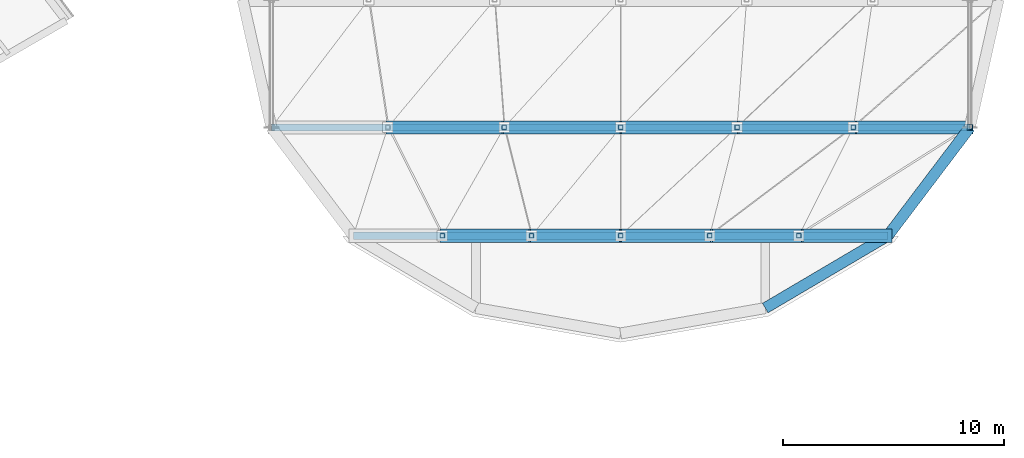
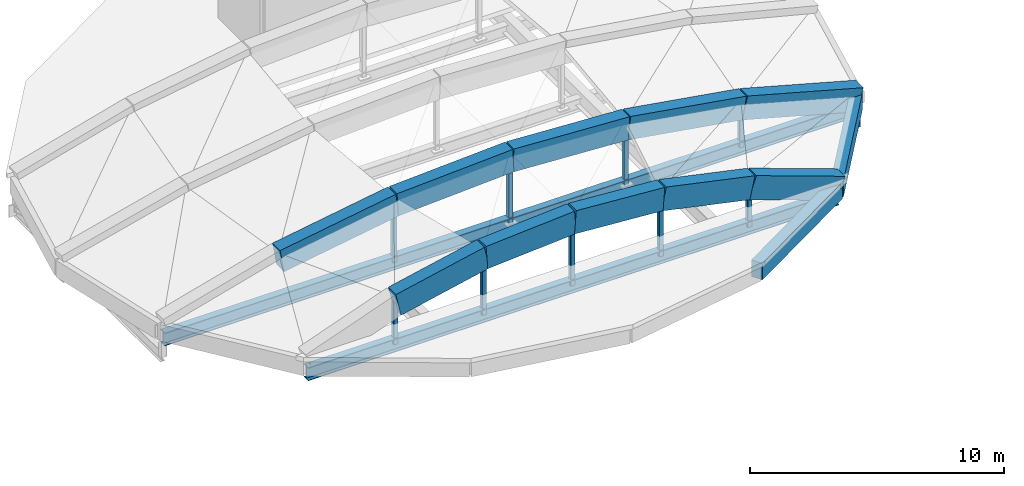
# One storey, part 60 of 88: 14 beams, 10 members.
"""IFC4 building model written with IfcOpenShell, lengths in metres."""

import ifcopenshell
import ifcopenshell.guid

model = None  # the IFC model being written
_history = None  # IfcOwnerHistory: only IFC2X3 demands one
_inside = {}  # id of a spatial element -> (the spatial element, [elements in it])
_under = {}  # id of a project, library or spatial element -> (it, [spatial elements below it])
_declared = {}  # id of a project -> (the project, [libraries it declares])
_typed = {}  # id of a type object -> (the type object, [elements of that type])
_made_of = {}  # id of a material, layer set ... -> (it, [elements and type objects made of it])


def new_model(schema):
    """Start an empty IFC model of exactly this schema.

    Asked for "IFC4X3", IfcOpenShell would pick the latest addendum, in which some entities
    have other attributes; the version numbers below select the first issue.
    IFC2X3 requires an IfcOwnerHistory on every rooted entity: one is made here for all.
    """
    global model, _history
    if schema == "IFC4X3":
        model = ifcopenshell.file(schema_version=(4, 3, 0, 0))
    else:
        model = ifcopenshell.file(schema=schema)
    _inside.clear()
    _under.clear()
    _declared.clear()
    _typed.clear()
    _made_of.clear()
    _history = None
    if model.schema == "IFC2X3":
        org = make("IfcOrganization", Name="unknown")
        user = make(
            "IfcPersonAndOrganization",
            ThePerson=make("IfcPerson", FamilyName="unknown"),
            TheOrganization=org,
        )
        app = make(
            "IfcApplication",
            ApplicationDeveloper=org,
            Version="unknown",
            ApplicationFullName="unknown",
            ApplicationIdentifier="unknown",
        )
        _history = make(
            "IfcOwnerHistory",
            OwningUser=user,
            OwningApplication=app,
            ChangeAction="ADDED",
            CreationDate=0,
        )
    return model


def make(cls, **values):
    """One entity of the class cls with the attributes given. An attribute that is None is left unset."""
    return model.create_entity(
        cls, **{name: value for name, value in values.items() if value is not None}
    )


def rooted(cls, **values):
    """An entity with a GlobalId (a new one), such as an element, a storey or a relation."""
    return make(cls, GlobalId=ifcopenshell.guid.new(), OwnerHistory=_history, **values)


def si_unit(unit_type, name, prefix=None):
    """IfcSIUnit, for example si_unit("LENGTHUNIT", "METRE", prefix="MILLI")."""
    return make("IfcSIUnit", UnitType=unit_type, Prefix=prefix, Name=name)


def assignment(units):
    """IfcUnitAssignment: the units of a project."""
    return None if units is None else make("IfcUnitAssignment", Units=units)


def point(xyz):
    """IfcCartesianPoint."""
    return None if xyz is None else make("IfcCartesianPoint", Coordinates=xyz)


def direction(xyz):
    """IfcDirection."""
    return None if xyz is None else make("IfcDirection", DirectionRatios=xyz)


def frame(location, z_axis=None, x_axis=None):
    """IfcAxis2Placement3D, a coordinate frame: its origin and axes. An axis left out is left unset."""
    return make(
        "IfcAxis2Placement3D",
        Location=point(location),
        Axis=direction(z_axis),
        RefDirection=direction(x_axis),
    )


def frame_2d(location, x_axis=None):
    """IfcAxis2Placement2D, a coordinate frame in the plane: its origin and x axis."""
    return make(
        "IfcAxis2Placement2D", Location=point(location), RefDirection=direction(x_axis)
    )


def origin():
    """The frame at (0, 0, 0) with its axes left unset."""
    return frame((0.0, 0.0, 0.0))


def origin_2d():
    """The frame at (0, 0) in the plane with its x axis left unset."""
    return frame_2d((0.0, 0.0))


def place(relative_to, where):
    """IfcLocalPlacement: puts the frame where relative to a parent placement (None: the world)."""
    return make(
        "IfcLocalPlacement", PlacementRelTo=relative_to, RelativePlacement=where
    )


def context(
    kind, dimensions, precision=None, world=None, true_north=None, identifier=None
):
    """IfcGeometricRepresentationContext, for example the 3D "Model" context."""
    return make(
        "IfcGeometricRepresentationContext",
        ContextIdentifier=identifier,
        ContextType=kind,
        CoordinateSpaceDimension=dimensions,
        Precision=precision,
        WorldCoordinateSystem=world,
        TrueNorth=true_north,
    )


def subcontext(parent, identifier, kind, view, scale=None):
    """IfcGeometricRepresentationSubContext, for example "Body" below "Model"."""
    return make(
        "IfcGeometricRepresentationSubContext",
        ContextIdentifier=identifier,
        ContextType=kind,
        ParentContext=parent,
        TargetScale=scale,
        TargetView=view,
    )


def project(units=None, contexts=None):
    """IfcProject with its units and contexts."""
    return rooted(
        "IfcProject",
        Name="project",
        RepresentationContexts=contexts,
        UnitsInContext=assignment(units),
    )


def spatial(cls, under=None, at=None, **own):
    """A site, building, storey or space (cls), placed at a placement, below another one or the project."""
    s = rooted(cls, ObjectPlacement=at, **own)
    if under is not None:
        _under.setdefault(under.id(), (under, []))[1].append(s)
    return s


def profile(cls, at=None, kind="AREA", **sizes):
    """A parametric profile (cls). Its sizes go by their IFC names, for example OverallWidth=200.0."""
    return make(cls, ProfileType=kind, Position=at, **sizes)


def rectangle(**sizes):
    """IfcRectangleProfileDef."""
    return profile("IfcRectangleProfileDef", **sizes)


def hollow_rectangle(**sizes):
    """IfcRectangleHollowProfileDef."""
    return profile("IfcRectangleHollowProfileDef", **sizes)


def i_section(**sizes):
    """IfcIShapeProfileDef."""
    return profile("IfcIShapeProfileDef", **sizes)


def extrude(swept, where, along, depth):
    """IfcExtrudedAreaSolid: the profile swept, set in the frame where, extruded along a direction by depth."""
    return make(
        "IfcExtrudedAreaSolid",
        SweptArea=swept,
        Position=where,
        ExtrudedDirection=direction(along),
        Depth=depth,
    )


def shape(context_of_items, identifier, shape_type, items):
    """IfcShapeRepresentation: the items that make up one representation, for example the "Body"."""
    return make(
        "IfcShapeRepresentation",
        ContextOfItems=context_of_items,
        RepresentationIdentifier=identifier,
        RepresentationType=shape_type,
        Items=items,
    )


def material(Name=None, Category=None):
    """IfcMaterial."""
    return make("IfcMaterial", Name=Name, Category=Category)


def material_profile(
    of_material, cross_section, Name=None, Category=None, Priority=None
):
    """IfcMaterialProfile: a cross section and its material."""
    return make(
        "IfcMaterialProfile",
        Name=Name,
        Material=of_material,
        Profile=cross_section,
        Priority=Priority,
        Category=Category,
    )


def profile_set(profiles, Name=None, composite=None):
    """IfcMaterialProfileSet."""
    return make(
        "IfcMaterialProfileSet",
        Name=Name,
        MaterialProfiles=profiles,
        CompositeProfile=composite,
    )


def made_of(thing, what):
    """Note that an element or type object is made of a material, layer set ...; save() writes the relation."""
    if what is not None:
        _made_of.setdefault(what.id(), (what, []))[1].append(thing)
    return thing


def type_object(cls, material=None, **own):
    """A type object (cls), such as IfcWallType, which elements share."""
    return made_of(rooted(cls, **own), material)


def element(
    cls,
    number,
    at=None,
    inside=None,
    cuts=None,
    type_object=None,
    material=None,
    context=None,
    identifier="Body",
    shape_type=None,
    held_by="IfcProductDefinitionShape",
    body=None,
    shapes=None,
    **own,
):
    """One element of the class cls, such as IfcWall. Its Tag is "e" and its number.

    at: its placement. inside: the storey or other place that contains it. cuts: it is an
    opening in that element (IfcRelVoidsElement). A single representation is given by context,
    identifier, shape_type and body (its items); several are given by shapes. held_by: the class
    of the entity that holds the representations. save() writes the other relations.
    """
    e = rooted(cls, Tag="e%d" % number, ObjectPlacement=at, **own)
    if body is not None:
        shapes = [shape(context, identifier, shape_type, body)]
    if shapes is not None:
        e.Representation = make(held_by, Representations=shapes)
    if inside is not None:
        _inside.setdefault(inside.id(), (inside, []))[1].append(e)
    if cuts is not None:
        rooted(
            "IfcRelVoidsElement", RelatingBuildingElement=cuts, RelatedOpeningElement=e
        )
    if type_object is not None:
        _typed.setdefault(type_object.id(), (type_object, []))[1].append(e)
    return made_of(e, material)


def aggregate(whole, parts):
    """IfcRelAggregates: a whole, such as a stair, and the parts it consists of."""
    return rooted("IfcRelAggregates", RelatingObject=whole, RelatedObjects=parts)


def save(model, path):
    """Write the relations noted so far, then the file.

    IfcRelAggregates (storeys below a building ...), IfcRelContainedInSpatialStructure (elements
    in a storey), IfcRelDefinesByType, IfcRelAssociatesMaterial and IfcRelDeclares: one each for
    every whole, place, type object, material and project.
    """
    for whole, parts in _under.values():
        aggregate(whole, parts)
    for where, things in _inside.values():
        rooted(
            "IfcRelContainedInSpatialStructure",
            RelatedElements=things,
            RelatingStructure=where,
        )
    for kind, things in _typed.values():
        rooted("IfcRelDefinesByType", RelatedObjects=things, RelatingType=kind)
    for what, things in _made_of.values():
        rooted("IfcRelAssociatesMaterial", RelatedObjects=things, RelatingMaterial=what)
    for by, libraries in _declared.values():
        rooted("IfcRelDeclares", RelatingContext=by, RelatedDefinitions=libraries)
    model.write(path)


model = new_model("IFC4")

# Units and contexts
model_context = context("Model", 3, precision=1e-05, world=origin(), true_north=direction((0.0, 1.0)))
body_context = subcontext(model_context, "Body", "Model", "MODEL_VIEW")
ifc_project = project(units=[si_unit("LENGTHUNIT", "METRE"), si_unit("AREAUNIT", "SQUARE_METRE"), si_unit("VOLUMEUNIT", "CUBIC_METRE"), si_unit("PLANEANGLEUNIT", "RADIAN"), si_unit("MASSUNIT", "GRAM", prefix="KILO")], contexts=[model_context])

# Site, building, storey
site_placement = place(None, origin())
site = spatial("IfcSite", under=ifc_project, at=site_placement, CompositionType="ELEMENT")
building_placement = place(site_placement, origin())
building = spatial("IfcBuilding", under=site, at=building_placement, Name="Vespera Passage Community Centre", CompositionType="ELEMENT")
storey_placement = place(building_placement, frame((0.0, 0.0, 16.5)))
storey = spatial("IfcBuildingStorey", under=building, at=storey_placement, Name="L04", CompositionType="ELEMENT", Elevation=16.5)

# Beams
ifc_material_1 = material(Name="Concrete f'c 45 MPa", Category="concrete")
ifc_material_profile_1 = material_profile(ifc_material_1, rectangle(XDim=0.60009765625, YDim=1.10009765625, at=origin_2d()), Name="RC600X1100")
ifc_profile_set_1 = profile_set([ifc_material_profile_1], Name="Concrete f'c 45 MPa")
beam_type_1 = type_object("IfcBeamType", Name="BM-AR-600X1100", PredefinedType="USERDEFINED", material=ifc_profile_set_1)
beam_1_placement = place(storey_placement, frame((134.93896484375, 78.82275390625, 1.0244140625), z_axis=(0.977652237703, 0.0, 0.210228690038), x_axis=(0.0, 1.0, 0.0)))
element("IfcBeam", 1, at=beam_1_placement, inside=storey, type_object=beam_type_1, Name="Sports Hall Arched Rib 1.2", ObjectType="ARCH RIB", PredefinedType="USERDEFINED", context=body_context, shape_type="SweptSolid", body=[
    extrude(rectangle(XDim=0.60009765625, YDim=1.10009765625, at=origin_2d()), origin(), (0.0, 0.0, 1.0), 4.12255859375),
])
for number, where, z_axis, x_axis, name in (
    (2, (138.969482421875, 78.82275390625, 1.89111328125), (0.997442419256, 0.0, 0.071474612755), (0.0, 1.0, 0.0), "Sports Hall Arched Rib 1.3"),
    (3, (143.0, 78.82275390625, 2.179931640625), (0.997442419256, 0.0, -0.071474612755), (0.0, 1.0, 0.0), "Sports Hall Arched Rib 1.4"),
):
    element("IfcBeam", number, at=place(storey_placement, frame(where, z_axis=z_axis, x_axis=x_axis)), inside=storey, type_object=beam_type_1, Name=name, ObjectType="ARCH RIB", PredefinedType="USERDEFINED", context=body_context, shape_type="SweptSolid", body=[
        extrude(rectangle(XDim=0.60009765625, YDim=1.10009765625, at=origin_2d()), origin(), (0.0, 0.0, 1.0), 4.040771484375),
    ])
beam_2_placement = place(storey_placement, frame((147.030517578125, 78.82275390625, 1.89111328125), z_axis=(0.977652237703, 0.0, -0.210228690038), x_axis=(0.0, 1.0, 0.0)))
element("IfcBeam", 4, at=beam_2_placement, inside=storey, type_object=beam_type_1, Name="Sports Hall Arched Rib 1.5", ObjectType="ARCH RIB", PredefinedType="USERDEFINED", context=body_context, shape_type="SweptSolid", body=[
    extrude(rectangle(XDim=0.60009765625, YDim=1.10009765625, at=origin_2d()), origin(), (0.0, 0.0, 1.0), 4.12255859375),
])
beam_3_placement = place(storey_placement, frame((151.06103515625, 78.82275390625, 1.0244140625), z_axis=(0.941381435072, 0.0, -0.337344028705), x_axis=(0.0, 1.0, 0.0)))
element("IfcBeam", 5, at=beam_3_placement, inside=storey, type_object=beam_type_1, Name="Sports Hall Arched Rib 1.6", ObjectType="ARCH RIB", PredefinedType="USERDEFINED", context=body_context, shape_type="SweptSolid", body=[
    extrude(rectangle(XDim=0.60009765625, YDim=1.10009765625, at=origin_2d()), origin(), (0.0, 0.0, 1.0), 4.281494140625),
])
beam_4_placement = place(storey_placement, frame((132.4677734375, 83.721435546875, 1.0244140625), z_axis=(0.986725707269, 0.0, 0.162395746908), x_axis=(0.0, 1.0, 0.0)))
element("IfcBeam", 6, at=beam_4_placement, inside=storey, type_object=beam_type_1, Name="Sports Hall Arched Rib 2.2", ObjectType="ARCH RIB", PredefinedType="USERDEFINED", context=body_context, shape_type="SweptSolid", body=[
    extrude(rectangle(XDim=0.60009765625, YDim=1.10009765625, at=origin_2d()), origin(), (0.0, 0.0, 1.0), 5.3369140625),
])
for number, where, z_axis, x_axis, name in (
    (7, (137.73388671875, 83.721435546875, 1.89111328125), (0.998499414303, 0.0, 0.054762392542), (0.0, 1.0, 0.0), "Sports Hall Arched Rib 2.3"),
    (8, (143.0, 83.721435546875, 2.179931640625), (0.998499414303, 0.0, -0.054762392542), (0.0, 1.0, 0.0), "Sports Hall Arched Rib 2.4"),
):
    element("IfcBeam", number, at=place(storey_placement, frame(where, z_axis=z_axis, x_axis=x_axis)), inside=storey, type_object=beam_type_1, Name=name, ObjectType="ARCH RIB", PredefinedType="USERDEFINED", context=body_context, shape_type="SweptSolid", body=[
        extrude(rectangle(XDim=0.60009765625, YDim=1.10009765625, at=origin_2d()), origin(), (0.0, 0.0, 1.0), 5.27392578125),
    ])
beam_5_placement = place(storey_placement, frame((148.26611328125, 83.721435546875, 1.89111328125), z_axis=(0.986725707269, 0.0, -0.162395746908), x_axis=(0.0, 1.0, 0.0)))
element("IfcBeam", 9, at=beam_5_placement, inside=storey, type_object=beam_type_1, Name="Sports Hall Arched Rib 2.5", ObjectType="ARCH RIB", PredefinedType="USERDEFINED", context=body_context, shape_type="SweptSolid", body=[
    extrude(rectangle(XDim=0.60009765625, YDim=1.10009765625, at=origin_2d()), origin(), (0.0, 0.0, 1.0), 5.3369140625),
])
beam_6_placement = place(storey_placement, frame((153.5322265625, 83.721435546875, 1.0244140625), z_axis=(0.964385203819, 0.0, -0.264501755484), x_axis=(0.0, 1.0, 0.0)))
element("IfcBeam", 10, at=beam_6_placement, inside=storey, type_object=beam_type_1, Name="Sports Hall Arched Rib 2.6", ObjectType="ARCH RIB", PredefinedType="USERDEFINED", context=body_context, shape_type="SweptSolid", body=[
    extrude(rectangle(XDim=0.60009765625, YDim=1.10009765625, at=origin_2d()), origin(), (0.0, 0.0, 1.0), 5.460693359375),
])
ifc_material_2 = material(Name="Steel ASTM A992 Grade 50", Category="steel")
ifc_material_profile_2 = material_profile(ifc_material_2, i_section(OverallWidth=0.32763671875, OverallDepth=0.62841796875, WebThickness=0.0166015625, FlangeThickness=0.027587890625, FilletRadius=0.0126953125, at=origin_2d()), Name="W24X146")
ifc_profile_set_2 = profile_set([ifc_material_profile_2], Name="Steel ASTM A992 Grade 50")
beam_type_2 = type_object("IfcBeamType", Name="BM-G-W24X146", PredefinedType="BEAM", material=ifc_profile_set_2)
beam_7_placement = place(storey_placement, frame((130.908447265625, 78.82275390625, -0.989990234375), z_axis=(1.0, 0.0, 0.0), x_axis=(0.0, 1.0, 0.0)))
element("IfcBeam", 11, at=beam_7_placement, inside=storey, type_object=beam_type_2, Name="Sports Hall Arch Tie Girder 1", PredefinedType="BEAM", context=body_context, shape_type="SweptSolid", body=[
    extrude(i_section(OverallWidth=0.32763671875, OverallDepth=0.62841796875, WebThickness=0.0166015625, FlangeThickness=0.027587890625, FilletRadius=0.0126953125, at=origin_2d()), origin(), (0.0, 0.0, 1.0), 24.18310546875),
])
beam_8_placement = place(storey_placement, frame((127.20166015625, 83.721435546875, -0.989990234375), z_axis=(1.0, 0.0, 0.0), x_axis=(0.0, 1.0, 0.0)))
element("IfcBeam", 12, at=beam_8_placement, inside=storey, type_object=beam_type_2, Name="Sports Hall Arch Tie Girder 2", PredefinedType="BEAM", context=body_context, shape_type="SweptSolid", body=[
    extrude(i_section(OverallWidth=0.32763671875, OverallDepth=0.62841796875, WebThickness=0.0166015625, FlangeThickness=0.027587890625, FilletRadius=0.0126953125, at=origin_2d()), origin(), (0.0, 0.0, 1.0), 31.5966796875),
])
ifc_material_3 = material(Name="Concrete f'c 35 MPa", Category="concrete")
ifc_material_profile_3 = material_profile(ifc_material_3, rectangle(XDim=0.5, YDim=0.800048828125, at=origin_2d()), Name="RC500X800")
ifc_profile_set_3 = profile_set([ifc_material_profile_3], Name="Concrete f'c 35 MPa")
beam_type_3 = type_object("IfcBeamType", Name="BM-SP-500X800E", PredefinedType="SPANDREL", material=ifc_profile_set_3)
beam_9_placement = place(storey_placement, frame((149.5439453125, 75.54931640625, -0.60009765625), z_axis=(0.861245535965, 0.508189065978, 0.0), x_axis=(-0.508189065978, 0.861245535965, 0.0)))
element("IfcBeam", 13, at=beam_9_placement, inside=storey, type_object=beam_type_3, Name="V2 L04 Perimeter Spandrel 14", PredefinedType="SPANDREL", context=body_context, shape_type="SweptSolid", body=[
    extrude(rectangle(XDim=0.5, YDim=0.800048828125, at=origin_2d()), origin(), (0.0, 0.0, 1.0), 6.44140625),
])
beam_10_placement = place(storey_placement, frame((155.091552734375, 78.82275390625, -0.60009765625), z_axis=(0.603409203322, 0.797431710773, 0.0), x_axis=(-0.797431710773, 0.603409203322, 0.0)))
element("IfcBeam", 14, at=beam_10_placement, inside=storey, type_object=beam_type_3, Name="V2 L04 Perimeter Spandrel 15", PredefinedType="SPANDREL", context=body_context, shape_type="SweptSolid", body=[
    extrude(rectangle(XDim=0.5, YDim=0.800048828125, at=origin_2d()), origin(), (0.0, 0.0, 1.0), 6.14306640625),
])

# Members
ifc_material_4 = material(Name="Steel ASTM A500 Grade C", Category="steel")
ifc_material_profile_4 = material_profile(ifc_material_4, hollow_rectangle(XDim=0.203125, YDim=0.203125, WallThickness=0.01171875, InnerFilletRadius=0.01171875, OuterFilletRadius=0.023681640625, at=origin_2d()), Name="HSS203X203X12.7")
ifc_profile_set_4 = profile_set([ifc_material_profile_4], Name="Steel ASTM A500 Grade C")
member_type_1 = type_object("IfcMemberType", Name="SS-203", PredefinedType="STRUT", material=ifc_profile_set_4)
member_1_placement = place(storey_placement, frame((134.93896484375, 78.82275390625, -0.989990234375), z_axis=(0.0, 0.0, 1.0), x_axis=(1.0, 0.0, 0.0)))
element("IfcMember", 15, at=member_1_placement, inside=storey, type_object=member_type_1, Name="Sports Hall Arch Rib 1 Bowstring Post 1", PredefinedType="STRUT", context=body_context, shape_type="SweptSolid", body=[
    extrude(hollow_rectangle(XDim=0.203125, YDim=0.203125, WallThickness=0.01171875, InnerFilletRadius=0.01171875, OuterFilletRadius=0.023681640625, at=origin_2d()), origin(), (0.0, 0.0, 1.0), 2.014404296875),
])
member_2_placement = place(storey_placement, frame((138.969482421875, 78.82275390625, -0.989990234375), z_axis=(0.0, 0.0, 1.0), x_axis=(1.0, 0.0, 0.0)))
element("IfcMember", 16, at=member_2_placement, inside=storey, type_object=member_type_1, Name="Sports Hall Arch Rib 1 Bowstring Post 2", PredefinedType="STRUT", context=body_context, shape_type="SweptSolid", body=[
    extrude(hollow_rectangle(XDim=0.203125, YDim=0.203125, WallThickness=0.01171875, InnerFilletRadius=0.01171875, OuterFilletRadius=0.023681640625, at=origin_2d()), origin(), (0.0, 0.0, 1.0), 2.881103515625),
])
member_3_placement = place(storey_placement, frame((143.0, 78.82275390625, -0.989990234375), z_axis=(0.0, 0.0, 1.0), x_axis=(1.0, 0.0, 0.0)))
element("IfcMember", 17, at=member_3_placement, inside=storey, type_object=member_type_1, Name="Sports Hall Arch Rib 1 Bowstring Post 3", PredefinedType="STRUT", context=body_context, shape_type="SweptSolid", body=[
    extrude(hollow_rectangle(XDim=0.203125, YDim=0.203125, WallThickness=0.01171875, InnerFilletRadius=0.01171875, OuterFilletRadius=0.023681640625, at=origin_2d()), origin(), (0.0, 0.0, 1.0), 3.169921875),
])
member_4_placement = place(storey_placement, frame((147.030517578125, 78.82275390625, -0.989990234375), z_axis=(0.0, 0.0, 1.0), x_axis=(1.0, 0.0, 0.0)))
element("IfcMember", 18, at=member_4_placement, inside=storey, type_object=member_type_1, Name="Sports Hall Arch Rib 1 Bowstring Post 4", PredefinedType="STRUT", context=body_context, shape_type="SweptSolid", body=[
    extrude(hollow_rectangle(XDim=0.203125, YDim=0.203125, WallThickness=0.01171875, InnerFilletRadius=0.01171875, OuterFilletRadius=0.023681640625, at=origin_2d()), origin(), (0.0, 0.0, 1.0), 2.881103515625),
])
member_5_placement = place(storey_placement, frame((151.06103515625, 78.82275390625, -0.989990234375), z_axis=(0.0, 0.0, 1.0), x_axis=(1.0, 0.0, 0.0)))
element("IfcMember", 19, at=member_5_placement, inside=storey, type_object=member_type_1, Name="Sports Hall Arch Rib 1 Bowstring Post 5", PredefinedType="STRUT", context=body_context, shape_type="SweptSolid", body=[
    extrude(hollow_rectangle(XDim=0.203125, YDim=0.203125, WallThickness=0.01171875, InnerFilletRadius=0.01171875, OuterFilletRadius=0.023681640625, at=origin_2d()), origin(), (0.0, 0.0, 1.0), 2.014404296875),
])
member_6_placement = place(storey_placement, frame((137.73388671875, 83.721435546875, -0.989990234375), z_axis=(0.0, 0.0, 1.0), x_axis=(1.0, 0.0, 0.0)))
element("IfcMember", 20, at=member_6_placement, inside=storey, type_object=member_type_1, Name="Sports Hall Arch Rib 2 Bowstring Post 2", PredefinedType="STRUT", context=body_context, shape_type="SweptSolid", body=[
    extrude(hollow_rectangle(XDim=0.203125, YDim=0.203125, WallThickness=0.01171875, InnerFilletRadius=0.01171875, OuterFilletRadius=0.023681640625, at=origin_2d()), origin(), (0.0, 0.0, 1.0), 2.881103515625),
])
member_7_placement = place(storey_placement, frame((143.0, 83.721435546875, -0.989990234375), z_axis=(0.0, 0.0, 1.0), x_axis=(1.0, 0.0, 0.0)))
element("IfcMember", 21, at=member_7_placement, inside=storey, type_object=member_type_1, Name="Sports Hall Arch Rib 2 Bowstring Post 3", PredefinedType="STRUT", context=body_context, shape_type="SweptSolid", body=[
    extrude(hollow_rectangle(XDim=0.203125, YDim=0.203125, WallThickness=0.01171875, InnerFilletRadius=0.01171875, OuterFilletRadius=0.023681640625, at=origin_2d()), origin(), (0.0, 0.0, 1.0), 3.169921875),
])
member_8_placement = place(storey_placement, frame((148.26611328125, 83.721435546875, -0.989990234375), z_axis=(0.0, 0.0, 1.0), x_axis=(1.0, 0.0, 0.0)))
element("IfcMember", 22, at=member_8_placement, inside=storey, type_object=member_type_1, Name="Sports Hall Arch Rib 2 Bowstring Post 4", PredefinedType="STRUT", context=body_context, shape_type="SweptSolid", body=[
    extrude(hollow_rectangle(XDim=0.203125, YDim=0.203125, WallThickness=0.01171875, InnerFilletRadius=0.01171875, OuterFilletRadius=0.023681640625, at=origin_2d()), origin(), (0.0, 0.0, 1.0), 2.881103515625),
])
member_9_placement = place(storey_placement, frame((153.5322265625, 83.721435546875, -0.989990234375), z_axis=(0.0, 0.0, 1.0), x_axis=(1.0, 0.0, 0.0)))
element("IfcMember", 23, at=member_9_placement, inside=storey, type_object=member_type_1, Name="Sports Hall Arch Rib 2 Bowstring Post 5", PredefinedType="STRUT", context=body_context, shape_type="SweptSolid", body=[
    extrude(hollow_rectangle(XDim=0.203125, YDim=0.203125, WallThickness=0.01171875, InnerFilletRadius=0.01171875, OuterFilletRadius=0.023681640625, at=origin_2d()), origin(), (0.0, 0.0, 1.0), 2.014404296875),
])
ifc_material_5 = material(Name="Steel ASTM A500 Grade C", Category="steel")
ifc_material_profile_5 = material_profile(ifc_material_5, hollow_rectangle(XDim=0.25390625, YDim=0.25390625, WallThickness=0.01171875, InnerFilletRadius=0.01171875, OuterFilletRadius=0.023681640625, at=origin_2d()), Name="HSS254X254X12.7")
ifc_profile_set_5 = profile_set([ifc_material_profile_5], Name="Steel ASTM A500 Grade C")
member_type_2 = type_object("IfcMemberType", Name="TP-254", PredefinedType="POST", material=ifc_profile_set_5)
member_10_placement = place(storey_placement, frame((158.79833984375, 83.721435546875, -1.860107421875), z_axis=(0.0, 0.0, 1.0), x_axis=(1.0, 0.0, 0.0)))
element("IfcMember", 24, at=member_10_placement, inside=storey, type_object=member_type_2, Name="Sports Eave Post 1.3", PredefinedType="POST", context=body_context, shape_type="SweptSolid", body=[
    extrude(hollow_rectangle(XDim=0.25390625, YDim=0.25390625, WallThickness=0.01171875, InnerFilletRadius=0.01171875, OuterFilletRadius=0.023681640625, at=origin_2d()), origin(), (0.0, 0.0, 1.0), 1.35009765625),
])

save(model, "model.ifc")
